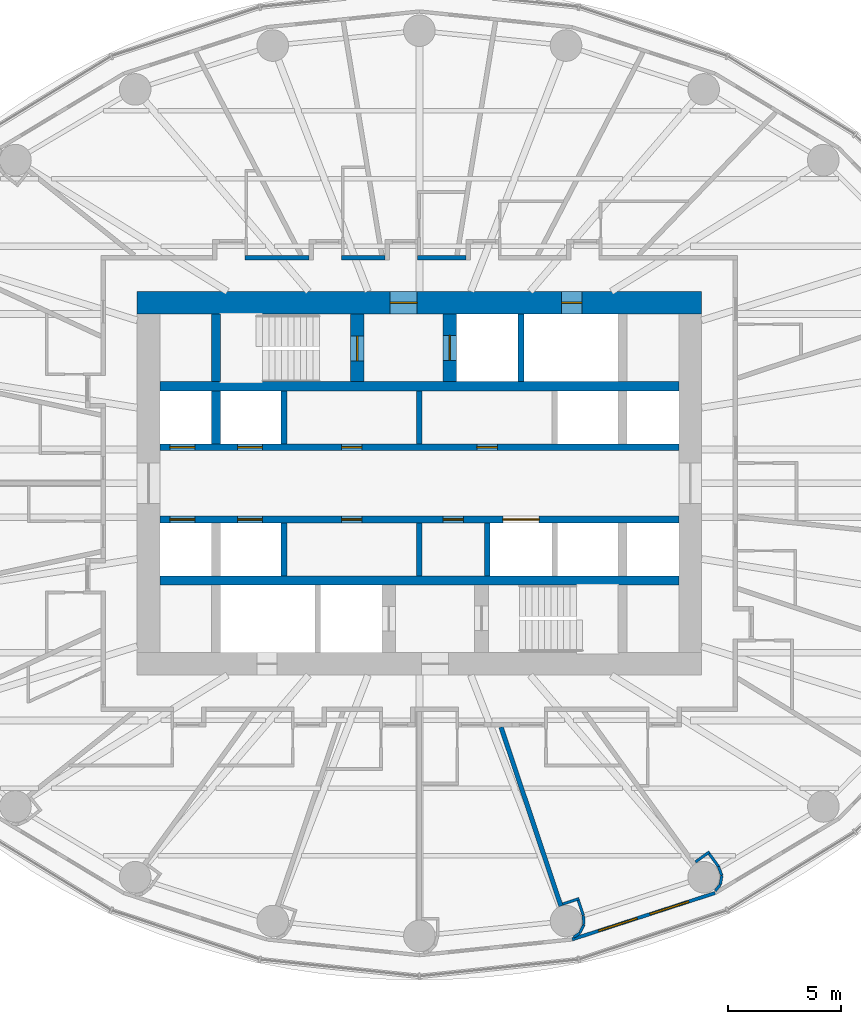
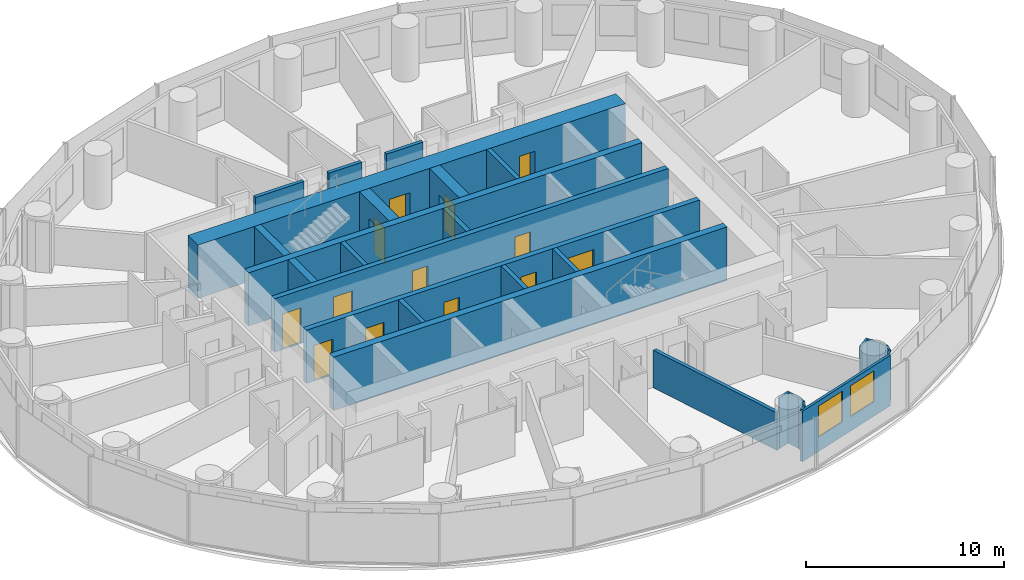
# One storey, part 9 of 14: 30 walls, 13 doors, 2 windows, 15 openings.
"""IFC4 building model written with IfcOpenShell, lengths in metres."""

from ifc_helpers import new_model, si_unit, direction, frame, frame_2d, origin, place, context, subcontext, project, spatial, rectangle, extrude, material, layer, layer_set, type_object, element, fill, save


model = new_model("IFC4")

# Units and contexts
model_context = context("Model", 3, precision=1e-05, world=origin(), true_north=direction((0.0, 1.0)))
body_context = subcontext(model_context, "Body", "Model", "MODEL_VIEW")
ifc_project = project(units=[si_unit("LENGTHUNIT", "METRE"), si_unit("AREAUNIT", "SQUARE_METRE"), si_unit("VOLUMEUNIT", "CUBIC_METRE"), si_unit("PLANEANGLEUNIT", "RADIAN"), si_unit("MASSUNIT", "GRAM", prefix="KILO")], contexts=[model_context])

# Site, building, storey
site_placement = place(None, origin())
site = spatial("IfcSite", under=ifc_project, at=site_placement, CompositionType="ELEMENT")
building_placement = place(site_placement, origin())
building = spatial("IfcBuilding", under=site, at=building_placement, Name="Hankou Lantern Tower", CompositionType="ELEMENT")
storey_placement = place(building_placement, frame((0.0, 0.0, 54.0)))
storey = spatial("IfcBuildingStorey", under=building, at=storey_placement, Name="L12", CompositionType="ELEMENT", Elevation=54.0)

# Wall, openings, doors
ifc_material_1 = material(Name="Concrete C60", Category="concrete")
ifc_layer_1 = layer(ifc_material_1, 1.0)
ifc_layer_set_1 = layer_set([ifc_layer_1], Name="Concrete C60")
wall_type_1 = type_object("IfcWallType", Name="CW1 CORE WALL 1000", PredefinedType="SHEAR", material=ifc_layer_set_1)
wall_1_placement = place(storey_placement, frame((-12.5, 8.0, 0.0), z_axis=(0.0, 0.0, 1.0), x_axis=(1.0, 0.0, 0.0)))
wall_1 = element("IfcWall", 1, at=wall_1_placement, inside=storey, type_object=wall_type_1, Name="Core wall north L12", PredefinedType="SHEAR", context=body_context, shape_type="SweptSolid", body=[
    extrude(rectangle(XDim=25.0, YDim=1.0, at=frame_2d((12.5, 0.0))), origin(), (0.0, 0.0, 1.0), 3.300048828125),
])
opening_1_placement = place(wall_1_placement, frame((11.199951171875, 0.0, 0.0)))
opening_1 = element("IfcOpeningElement", 2, at=opening_1_placement, cuts=wall_1, Name="Opening D5", PredefinedType="OPENING", context=body_context, shape_type="SweptSolid", body=[
    extrude(rectangle(XDim=1.199951171875, YDim=2.199951171875, at=frame_2d((0.60009765625, 1.10009765625))), frame((0.0, 0.510009765625, 0.0), z_axis=(0.0, -1.0, 0.0), x_axis=(1.0, 0.0, 0.0)), (0.0, 0.0, 1.0), 1.02001953125),
])
opening_2_placement = place(wall_1_placement, frame((18.800048828125, 0.0, 0.0)))
opening_2 = element("IfcOpeningElement", 3, at=opening_2_placement, cuts=wall_1, Name="Opening D7", PredefinedType="OPENING", context=body_context, shape_type="SweptSolid", body=[
    extrude(rectangle(XDim=0.89990234375, YDim=2.199951171875, at=frame_2d((0.449951171875, 1.10009765625))), frame((0.0, 0.510009765625, 0.0), z_axis=(0.0, -1.0, 0.0), x_axis=(1.0, 0.0, 0.0)), (0.0, 0.0, 1.0), 1.02001953125),
])
ifc_material_2 = material(Name="Steel door leaf", Category="steel")
door_type_1 = type_object("IfcDoorType", Name="D5 STAIR LOBBY DOOR 1200X2200", OperationType="SINGLE_SWING_LEFT", PredefinedType="DOOR", material=ifc_material_2)
door_1_placement = place(opening_1_placement, origin())
door_1 = element("IfcDoor", 4, at=door_1_placement, inside=storey, type_object=door_type_1, Name="Stair A lobby door", OperationType="SINGLE_SWING_LEFT", OverallHeight=2.199951171875, OverallWidth=1.199951171875, PredefinedType="DOOR", context=body_context, shape_type="SweptSolid", body=[
    extrude(rectangle(XDim=1.199951171875, YDim=2.199951171875, at=frame_2d((0.60009765625, 1.10009765625))), frame((0.0, 0.02490234375, 0.0), z_axis=(0.0, -1.0, 0.0), x_axis=(1.0, 0.0, 0.0)), (0.0, 0.0, 1.0), 0.050048828125),
])
fill(opening_1, door_1)
ifc_material_3 = material(Name="Steel door leaf", Category="steel")
door_type_2 = type_object("IfcDoorType", Name="D7 RISER DOOR 900X2200", OperationType="SINGLE_SWING_LEFT", PredefinedType="DOOR", material=ifc_material_3)
door_2_placement = place(opening_2_placement, origin())
door_2 = element("IfcDoor", 5, at=door_2_placement, inside=storey, type_object=door_type_2, Name="Riser N1 door", OperationType="SINGLE_SWING_RIGHT", OverallHeight=2.199951171875, OverallWidth=0.89990234375, PredefinedType="DOOR", context=body_context, shape_type="SweptSolid", body=[
    extrude(rectangle(XDim=0.89990234375, YDim=2.199951171875, at=frame_2d((0.449951171875, 1.10009765625))), frame((0.0, 0.02490234375, 0.0), z_axis=(0.0, -1.0, 0.0), x_axis=(1.0, 0.0, 0.0)), (0.0, 0.0, 1.0), 0.050048828125),
])
fill(opening_2, door_2)

# Walls
ifc_material_4 = material(Name="Concrete C60", Category="concrete")
ifc_layer_2 = layer(ifc_material_4, 0.39990234375)
ifc_layer_set_2 = layer_set([ifc_layer_2], Name="Concrete C60")
wall_type_2 = type_object("IfcWallType", Name="CW4 CORE CROSS WALL 400", PredefinedType="SHEAR", material=ifc_layer_set_2)
for number, where, z_axis, x_axis, name in (
    (6, (-11.5, 4.300048828125, 0.0), (0.0, 0.0, 1.0), (1.0, 0.0, 0.0), "Core band wall north L12"),
    (7, (-11.5, -4.300048828125, 0.0), (0.0, 0.0, 1.0), (1.0, 0.0, 0.0), "Core band wall south L12"),
):
    element("IfcWall", number, at=place(storey_placement, frame(where, z_axis=z_axis, x_axis=x_axis)), inside=storey, type_object=wall_type_2, Name=name, PredefinedType="SHEAR", context=body_context, shape_type="SweptSolid", body=[
        extrude(rectangle(XDim=23.0, YDim=0.39990234375, at=frame_2d((11.5, 0.0))), origin(), (0.0, 0.0, 1.0), 3.300048828125),
    ])
wall_2_placement = place(storey_placement, frame((-9.0, 4.5, 0.0), z_axis=(0.0, 0.0, 1.0), x_axis=(0.0, 1.0, 0.0)))
element("IfcWall", 8, at=wall_2_placement, inside=storey, type_object=wall_type_2, Name="Core strip wall L12", PredefinedType="SHEAR", context=body_context, shape_type="SweptSolid", body=[
    extrude(rectangle(XDim=3.0, YDim=0.39990234375, at=frame_2d((1.5, 0.0))), origin(), (0.0, 0.0, 1.0), 3.300048828125),
])
wall_3_placement = place(storey_placement, frame((-9.0, 1.75, 0.0), z_axis=(0.0, 0.0, 1.0), x_axis=(0.0, 1.0, 0.0)))
element("IfcWall", 9, at=wall_3_placement, inside=storey, type_object=wall_type_2, Name="Core strip wall L12", PredefinedType="SHEAR", context=body_context, shape_type="SweptSolid", body=[
    extrude(rectangle(XDim=2.35009765625, YDim=0.39990234375, at=frame_2d((1.175048828125, 0.0))), origin(), (0.0, 0.0, 1.0), 3.300048828125),
])

# Wall, openings, doors
ifc_material_5 = material(Name="Concrete C60", Category="concrete")
ifc_layer_3 = layer(ifc_material_5, 0.300048828125)
ifc_layer_set_3 = layer_set([ifc_layer_3], Name="Concrete C60")
wall_type_3 = type_object("IfcWallType", Name="CW5 LIFT LOBBY WALL 300", PredefinedType="SHEAR", material=ifc_layer_set_3)
wall_4_placement = place(storey_placement, frame((-11.5, 1.60009765625, 0.0), z_axis=(0.0, 0.0, 1.0), x_axis=(1.0, 0.0, 0.0)))
wall_4 = element("IfcWall", 10, at=wall_4_placement, inside=storey, type_object=wall_type_3, Name="Lift lobby wall north L12", PredefinedType="SHEAR", context=body_context, shape_type="SweptSolid", body=[
    extrude(rectangle(XDim=23.0, YDim=0.300048828125, at=frame_2d((11.5, 0.0))), origin(), (0.0, 0.0, 1.0), 3.300048828125),
])
opening_3_placement = place(wall_4_placement, frame((0.449951171875, 0.0, 0.0)))
opening_3 = element("IfcOpeningElement", 11, at=opening_3_placement, cuts=wall_4, Name="Opening LD1", PredefinedType="OPENING", context=body_context, shape_type="SweptSolid", body=[
    extrude(rectangle(XDim=1.10009765625, YDim=2.199951171875, at=frame_2d((0.550048828125, 1.10009765625))), frame((0.0, 0.159912109375, 0.0), z_axis=(0.0, -1.0, 0.0), x_axis=(1.0, 0.0, 0.0)), (0.0, 0.0, 1.0), 0.320068359375),
])
opening_4_placement = place(wall_4_placement, frame((3.449951171875, 0.0, 0.0)))
opening_4 = element("IfcOpeningElement", 12, at=opening_4_placement, cuts=wall_4, Name="Opening LD1", PredefinedType="OPENING", context=body_context, shape_type="SweptSolid", body=[
    extrude(rectangle(XDim=1.10009765625, YDim=2.199951171875, at=frame_2d((0.550048828125, 1.10009765625))), frame((0.0, 0.159912109375, 0.0), z_axis=(0.0, -1.0, 0.0), x_axis=(1.0, 0.0, 0.0)), (0.0, 0.0, 1.0), 0.320068359375),
])
opening_5_placement = place(wall_4_placement, frame((8.050048828125, 0.0, 0.0)))
opening_5 = element("IfcOpeningElement", 13, at=opening_5_placement, cuts=wall_4, Name="Opening D30", PredefinedType="OPENING", context=body_context, shape_type="SweptSolid", body=[
    extrude(rectangle(XDim=0.89990234375, YDim=2.199951171875, at=frame_2d((0.449951171875, 1.10009765625))), frame((0.0, 0.159912109375, 0.0), z_axis=(0.0, -1.0, 0.0), x_axis=(1.0, 0.0, 0.0)), (0.0, 0.0, 1.0), 0.320068359375),
])
opening_6_placement = place(wall_4_placement, frame((14.050048828125, 0.0, 0.0)))
opening_6 = element("IfcOpeningElement", 14, at=opening_6_placement, cuts=wall_4, Name="Opening D30", PredefinedType="OPENING", context=body_context, shape_type="SweptSolid", body=[
    extrude(rectangle(XDim=0.89990234375, YDim=2.199951171875, at=frame_2d((0.449951171875, 1.10009765625))), frame((0.0, 0.159912109375, 0.0), z_axis=(0.0, -1.0, 0.0), x_axis=(1.0, 0.0, 0.0)), (0.0, 0.0, 1.0), 0.320068359375),
])
ifc_material_6 = material(Name="Steel door leaf", Category="steel")
door_type_3 = type_object("IfcDoorType", Name="D30 CORE ROOM DOOR 900X2200", OperationType="SINGLE_SWING_LEFT", PredefinedType="DOOR", material=ifc_material_6)
door_3_placement = place(opening_5_placement, origin())
door_3 = element("IfcDoor", 15, at=door_3_placement, inside=storey, type_object=door_type_3, Name="Cleaner's store door", OperationType="SINGLE_SWING_LEFT", OverallHeight=2.199951171875, OverallWidth=0.89990234375, PredefinedType="DOOR", context=body_context, shape_type="SweptSolid", body=[
    extrude(rectangle(XDim=0.89990234375, YDim=2.199951171875, at=frame_2d((0.449951171875, 1.10009765625))), frame((0.0, 0.02490234375, 0.0), z_axis=(0.0, -1.0, 0.0), x_axis=(1.0, 0.0, 0.0)), (0.0, 0.0, 1.0), 0.050048828125),
])
fill(opening_5, door_3)
door_4_placement = place(opening_6_placement, origin())
door_4 = element("IfcDoor", 16, at=door_4_placement, inside=storey, type_object=door_type_3, Name="Minibar store door", OperationType="SINGLE_SWING_RIGHT", OverallHeight=2.199951171875, OverallWidth=0.89990234375, PredefinedType="DOOR", context=body_context, shape_type="SweptSolid", body=[
    extrude(rectangle(XDim=0.89990234375, YDim=2.199951171875, at=frame_2d((0.449951171875, 1.10009765625))), frame((0.0, 0.02490234375, 0.0), z_axis=(0.0, -1.0, 0.0), x_axis=(1.0, 0.0, 0.0)), (0.0, 0.0, 1.0), 0.050048828125),
])
fill(opening_6, door_4)
ifc_material_7 = material(Name="Steel door leaf", Category="steel")
door_type_4 = type_object("IfcDoorType", Name="LD1 LIFT LANDING DOOR 1100X2200", OperationType="DOUBLE_DOOR_SLIDING", PredefinedType="DOOR", material=ifc_material_7)
door_5_placement = place(opening_3_placement, origin())
door_5 = element("IfcDoor", 17, at=door_5_placement, inside=storey, type_object=door_type_4, Name="Lift L1 landing door", OperationType="DOUBLE_DOOR_SLIDING", OverallHeight=2.199951171875, OverallWidth=1.10009765625, PredefinedType="DOOR", context=body_context, shape_type="SweptSolid", body=[
    extrude(rectangle(XDim=1.10009765625, YDim=2.199951171875, at=frame_2d((0.550048828125, 1.10009765625))), frame((0.0, 0.02490234375, 0.0), z_axis=(0.0, -1.0, 0.0), x_axis=(1.0, 0.0, 0.0)), (0.0, 0.0, 1.0), 0.050048828125),
])
fill(opening_3, door_5)
door_6_placement = place(opening_4_placement, origin())
door_6 = element("IfcDoor", 18, at=door_6_placement, inside=storey, type_object=door_type_4, Name="Lift L2 landing door", OperationType="DOUBLE_DOOR_SLIDING", OverallHeight=2.199951171875, OverallWidth=1.10009765625, PredefinedType="DOOR", context=body_context, shape_type="SweptSolid", body=[
    extrude(rectangle(XDim=1.10009765625, YDim=2.199951171875, at=frame_2d((0.550048828125, 1.10009765625))), frame((0.0, 0.02490234375, 0.0), z_axis=(0.0, -1.0, 0.0), x_axis=(1.0, 0.0, 0.0)), (0.0, 0.0, 1.0), 0.050048828125),
])
fill(opening_4, door_6)

wall_5_placement = place(storey_placement, frame((-11.5, -1.60009765625, 0.0), z_axis=(0.0, 0.0, 1.0), x_axis=(1.0, 0.0, 0.0)))
wall_5 = element("IfcWall", 19, at=wall_5_placement, inside=storey, type_object=wall_type_3, Name="Lift lobby wall south L12", PredefinedType="SHEAR", context=body_context, shape_type="SweptSolid", body=[
    extrude(rectangle(XDim=23.0, YDim=0.300048828125, at=frame_2d((11.5, 0.0))), origin(), (0.0, 0.0, 1.0), 3.300048828125),
])
opening_7_placement = place(wall_5_placement, frame((0.449951171875, 0.0, 0.0)))
opening_7 = element("IfcOpeningElement", 20, at=opening_7_placement, cuts=wall_5, Name="Opening LD1", PredefinedType="OPENING", context=body_context, shape_type="SweptSolid", body=[
    extrude(rectangle(XDim=1.10009765625, YDim=2.199951171875, at=frame_2d((0.550048828125, 1.10009765625))), frame((0.0, 0.159912109375, 0.0), z_axis=(0.0, -1.0, 0.0), x_axis=(1.0, 0.0, 0.0)), (0.0, 0.0, 1.0), 0.320068359375),
])
opening_8_placement = place(wall_5_placement, frame((3.449951171875, 0.0, 0.0)))
opening_8 = element("IfcOpeningElement", 21, at=opening_8_placement, cuts=wall_5, Name="Opening LD1", PredefinedType="OPENING", context=body_context, shape_type="SweptSolid", body=[
    extrude(rectangle(XDim=1.10009765625, YDim=2.199951171875, at=frame_2d((0.550048828125, 1.10009765625))), frame((0.0, 0.159912109375, 0.0), z_axis=(0.0, -1.0, 0.0), x_axis=(1.0, 0.0, 0.0)), (0.0, 0.0, 1.0), 0.320068359375),
])
opening_9_placement = place(wall_5_placement, frame((15.199951171875, 0.0, 0.0)))
opening_9 = element("IfcOpeningElement", 22, at=opening_9_placement, cuts=wall_5, Name="Opening LD4", PredefinedType="OPENING", context=body_context, shape_type="SweptSolid", body=[
    extrude(rectangle(XDim=1.60009765625, YDim=2.39990234375, at=frame_2d((0.800048828125, 1.199951171875))), frame((0.0, 0.159912109375, 0.0), z_axis=(0.0, -1.0, 0.0), x_axis=(1.0, 0.0, 0.0)), (0.0, 0.0, 1.0), 0.320068359375),
])
opening_10_placement = place(wall_5_placement, frame((8.050048828125, 0.0, 0.0)))
opening_10 = element("IfcOpeningElement", 23, at=opening_10_placement, cuts=wall_5, Name="Opening D30", PredefinedType="OPENING", context=body_context, shape_type="SweptSolid", body=[
    extrude(rectangle(XDim=0.89990234375, YDim=2.199951171875, at=frame_2d((0.449951171875, 1.10009765625))), frame((0.0, 0.159912109375, 0.0), z_axis=(0.0, -1.0, 0.0), x_axis=(1.0, 0.0, 0.0)), (0.0, 0.0, 1.0), 0.320068359375),
])
opening_11_placement = place(wall_5_placement, frame((12.550048828125, 0.0, 0.0)))
opening_11 = element("IfcOpeningElement", 24, at=opening_11_placement, cuts=wall_5, Name="Opening D30", PredefinedType="OPENING", context=body_context, shape_type="SweptSolid", body=[
    extrude(rectangle(XDim=0.89990234375, YDim=2.199951171875, at=frame_2d((0.449951171875, 1.10009765625))), frame((0.0, 0.159912109375, 0.0), z_axis=(0.0, -1.0, 0.0), x_axis=(1.0, 0.0, 0.0)), (0.0, 0.0, 1.0), 0.320068359375),
])
door_7_placement = place(opening_10_placement, origin())
door_7 = element("IfcDoor", 25, at=door_7_placement, inside=storey, type_object=door_type_3, Name="Housekeeping and linen store door", OperationType="SINGLE_SWING_LEFT", OverallHeight=2.199951171875, OverallWidth=0.89990234375, PredefinedType="DOOR", context=body_context, shape_type="SweptSolid", body=[
    extrude(rectangle(XDim=0.89990234375, YDim=2.199951171875, at=frame_2d((0.449951171875, 1.10009765625))), frame((0.0, 0.02490234375, 0.0), z_axis=(0.0, -1.0, 0.0), x_axis=(1.0, 0.0, 0.0)), (0.0, 0.0, 1.0), 0.050048828125),
])
fill(opening_10, door_7)
door_8_placement = place(opening_11_placement, origin())
door_8 = element("IfcDoor", 26, at=door_8_placement, inside=storey, type_object=door_type_3, Name="Waste and recycling room door", OperationType="SINGLE_SWING_RIGHT", OverallHeight=2.199951171875, OverallWidth=0.89990234375, PredefinedType="DOOR", context=body_context, shape_type="SweptSolid", body=[
    extrude(rectangle(XDim=0.89990234375, YDim=2.199951171875, at=frame_2d((0.449951171875, 1.10009765625))), frame((0.0, 0.02490234375, 0.0), z_axis=(0.0, -1.0, 0.0), x_axis=(1.0, 0.0, 0.0)), (0.0, 0.0, 1.0), 0.050048828125),
])
fill(opening_11, door_8)
door_9_placement = place(opening_7_placement, origin())
door_9 = element("IfcDoor", 27, at=door_9_placement, inside=storey, type_object=door_type_4, Name="Lift L3 landing door", OperationType="DOUBLE_DOOR_SLIDING", OverallHeight=2.199951171875, OverallWidth=1.10009765625, PredefinedType="DOOR", context=body_context, shape_type="SweptSolid", body=[
    extrude(rectangle(XDim=1.10009765625, YDim=2.199951171875, at=frame_2d((0.550048828125, 1.10009765625))), frame((0.0, 0.02490234375, 0.0), z_axis=(0.0, -1.0, 0.0), x_axis=(1.0, 0.0, 0.0)), (0.0, 0.0, 1.0), 0.050048828125),
])
fill(opening_7, door_9)
door_10_placement = place(opening_8_placement, origin())
door_10 = element("IfcDoor", 28, at=door_10_placement, inside=storey, type_object=door_type_4, Name="Lift L4 landing door", OperationType="DOUBLE_DOOR_SLIDING", OverallHeight=2.199951171875, OverallWidth=1.10009765625, PredefinedType="DOOR", context=body_context, shape_type="SweptSolid", body=[
    extrude(rectangle(XDim=1.10009765625, YDim=2.199951171875, at=frame_2d((0.550048828125, 1.10009765625))), frame((0.0, 0.02490234375, 0.0), z_axis=(0.0, -1.0, 0.0), x_axis=(1.0, 0.0, 0.0)), (0.0, 0.0, 1.0), 0.050048828125),
])
fill(opening_8, door_10)
ifc_material_8 = material(Name="Steel door leaf", Category="steel")
door_type_5 = type_object("IfcDoorType", Name="LD4 SERVICE LIFT LANDING DOOR 1600X2400", OperationType="DOUBLE_DOOR_SLIDING", PredefinedType="DOOR", material=ifc_material_8)
door_11_placement = place(opening_9_placement, origin())
door_11 = element("IfcDoor", 29, at=door_11_placement, inside=storey, type_object=door_type_5, Name="Lift SV1 landing door", OperationType="DOUBLE_DOOR_SLIDING", OverallHeight=2.39990234375, OverallWidth=1.60009765625, PredefinedType="DOOR", context=body_context, shape_type="SweptSolid", body=[
    extrude(rectangle(XDim=1.60009765625, YDim=2.39990234375, at=frame_2d((0.800048828125, 1.199951171875))), frame((0.0, 0.02490234375, 0.0), z_axis=(0.0, -1.0, 0.0), x_axis=(1.0, 0.0, 0.0)), (0.0, 0.0, 1.0), 0.050048828125),
])
fill(opening_9, door_11)

# Wall, opening, door
ifc_material_9 = material(Name="Concrete C60", Category="concrete")
ifc_layer_4 = layer(ifc_material_9, 0.60009765625)
ifc_layer_set_4 = layer_set([ifc_layer_4], Name="Concrete C60")
wall_type_4 = type_object("IfcWallType", Name="CW6 STAIR AND SHAFT WALL 600", PredefinedType="SHEAR", material=ifc_layer_set_4)
wall_6_placement = place(storey_placement, frame((-2.75, 4.5, 0.0), z_axis=(0.0, 0.0, 1.0), x_axis=(0.0, 1.0, 0.0)))
wall_6 = element("IfcWall", 30, at=wall_6_placement, inside=storey, type_object=wall_type_4, Name="Stair wall L12", PredefinedType="SHEAR", context=body_context, shape_type="SweptSolid", body=[
    extrude(rectangle(XDim=3.0, YDim=0.60009765625, at=frame_2d((1.5, 0.0))), origin(), (0.0, 0.0, 1.0), 3.300048828125),
])
opening_12_placement = place(wall_6_placement, frame((0.925048828125, 0.0, 0.0)))
opening_12 = element("IfcOpeningElement", 31, at=opening_12_placement, cuts=wall_6, Name="Opening D4", PredefinedType="OPENING", context=body_context, shape_type="SweptSolid", body=[
    extrude(rectangle(XDim=1.10009765625, YDim=2.199951171875, at=frame_2d((0.550048828125, 1.10009765625))), frame((0.0, 0.31005859375, 0.0), z_axis=(0.0, -1.0, 0.0), x_axis=(1.0, 0.0, 0.0)), (0.0, 0.0, 1.0), 0.6201171875),
])
ifc_material_10 = material(Name="Steel door leaf", Category="steel")
door_type_6 = type_object("IfcDoorType", Name="D4 STAIR DOOR 1100X2200", OperationType="SINGLE_SWING_LEFT", PredefinedType="DOOR", material=ifc_material_10)
door_12_placement = place(opening_12_placement, origin())
door_12 = element("IfcDoor", 32, at=door_12_placement, inside=storey, type_object=door_type_6, Name="Stair A door", OperationType="SINGLE_SWING_LEFT", OverallHeight=2.199951171875, OverallWidth=1.10009765625, PredefinedType="DOOR", context=body_context, shape_type="SweptSolid", body=[
    extrude(rectangle(XDim=1.10009765625, YDim=2.199951171875, at=frame_2d((0.550048828125, 1.10009765625))), frame((0.0, 0.02490234375, 0.0), z_axis=(0.0, -1.0, 0.0), x_axis=(1.0, 0.0, 0.0)), (0.0, 0.0, 1.0), 0.050048828125),
])
fill(opening_12, door_12)

wall_7_placement = place(storey_placement, frame((1.35009765625, 4.5, 0.0), z_axis=(0.0, 0.0, 1.0), x_axis=(0.0, 1.0, 0.0)))
wall_7 = element("IfcWall", 33, at=wall_7_placement, inside=storey, type_object=wall_type_4, Name="Firefighting lift shaft wall L12", PredefinedType="SHEAR", context=body_context, shape_type="SweptSolid", body=[
    extrude(rectangle(XDim=3.0, YDim=0.60009765625, at=frame_2d((1.5, 0.0))), origin(), (0.0, 0.0, 1.0), 3.300048828125),
])
opening_13_placement = place(wall_7_placement, frame((0.949951171875, 0.0, 0.0)))
opening_13 = element("IfcOpeningElement", 34, at=opening_13_placement, cuts=wall_7, Name="Opening LD2", PredefinedType="OPENING", context=body_context, shape_type="SweptSolid", body=[
    extrude(rectangle(XDim=1.10009765625, YDim=2.199951171875, at=frame_2d((0.550048828125, 1.10009765625))), frame((0.0, 0.31005859375, 0.0), z_axis=(0.0, -1.0, 0.0), x_axis=(1.0, 0.0, 0.0)), (0.0, 0.0, 1.0), 0.6201171875),
])
ifc_material_11 = material(Name="Steel door leaf", Category="steel")
door_type_7 = type_object("IfcDoorType", Name="LD2 FIREFIGHTING LIFT LANDING DOOR 1100X2200", OperationType="DOUBLE_DOOR_SLIDING", PredefinedType="DOOR", material=ifc_material_11)
door_13_placement = place(opening_13_placement, origin())
door_13 = element("IfcDoor", 35, at=door_13_placement, inside=storey, type_object=door_type_7, Name="Firefighting lift FL1 landing door", OperationType="DOUBLE_DOOR_SLIDING", OverallHeight=2.199951171875, OverallWidth=1.10009765625, PredefinedType="DOOR", context=body_context, shape_type="SweptSolid", body=[
    extrude(rectangle(XDim=1.10009765625, YDim=2.199951171875, at=frame_2d((0.550048828125, 1.10009765625))), frame((0.0, 0.02490234375, 0.0), z_axis=(0.0, -1.0, 0.0), x_axis=(1.0, 0.0, 0.0)), (0.0, 0.0, 1.0), 0.050048828125),
])
fill(opening_13, door_13)

# Wall, openings, windows
ifc_material_12 = material(Name="Aluminium spandrel panel on steel studs", Category="steel")
ifc_layer_5 = layer(ifc_material_12, 0.14990234375)
ifc_layer_set_5 = layer_set([ifc_layer_5], Name="Aluminium spandrel panel on steel studs")
wall_type_5 = type_object("IfcWallType", Name="EW1 INNER SKIN WALL 150", PredefinedType="ELEMENTEDWALL", material=ifc_layer_set_5)
wall_8_placement = place(storey_placement, frame((6.766357421875, -20.201904296875, 0.0), z_axis=(0.0, 0.0, 1.0), x_axis=(0.951137534625, 0.308767534285, 0.0)))
wall_8 = element("IfcWall", 36, at=wall_8_placement, inside=storey, type_object=wall_type_5, Name="Inner skin R20-R21 L12", PredefinedType="ELEMENTEDWALL", context=body_context, shape_type="SweptSolid", body=[
    extrude(rectangle(XDim=6.6552734375, YDim=0.14990234375, at=frame_2d((3.32763671875, 0.0))), origin(), (0.0, 0.0, 1.0), 3.1201171875),
])
opening_14_placement = place(wall_8_placement, frame((1.2275390625, 0.0, 0.89990234375)))
opening_14 = element("IfcOpeningElement", 37, at=opening_14_placement, cuts=wall_8, Name="Opening W1", PredefinedType="OPENING", context=body_context, shape_type="SweptSolid", body=[
    extrude(rectangle(XDim=1.800048828125, YDim=1.89990234375, at=frame_2d((0.89990234375, 0.949951171875))), frame((0.0, 0.0849609375, 0.0), z_axis=(0.0, -1.0, 0.0), x_axis=(1.0, 0.0, 0.0)), (0.0, 0.0, 1.0), 0.169921875),
])
opening_15_placement = place(wall_8_placement, frame((3.627685546875, 0.0, 0.89990234375)))
opening_15 = element("IfcOpeningElement", 38, at=opening_15_placement, cuts=wall_8, Name="Opening W1", PredefinedType="OPENING", context=body_context, shape_type="SweptSolid", body=[
    extrude(rectangle(XDim=1.800048828125, YDim=1.89990234375, at=frame_2d((0.89990234375, 0.949951171875))), frame((0.0, 0.0849609375, 0.0), z_axis=(0.0, -1.0, 0.0), x_axis=(1.0, 0.0, 0.0)), (0.0, 0.0, 1.0), 0.169921875),
])
ifc_material_13 = material(Name="Aluminium framed double glazed window", Category="aluminium")
window_type = type_object("IfcWindowType", Name="W1 GUEST ROOM WINDOW 1800X1900", PartitioningType="DOUBLE_PANEL_VERTICAL", PredefinedType="WINDOW", material=ifc_material_13)
window_1_placement = place(opening_14_placement, origin())
window_1 = element("IfcWindow", 39, at=window_1_placement, inside=storey, type_object=window_type, Name="Window R20.1 L12", OverallHeight=1.89990234375, OverallWidth=1.800048828125, PartitioningType="SINGLE_PANEL", PredefinedType="WINDOW", context=body_context, shape_type="SweptSolid", body=[
    extrude(rectangle(XDim=1.800048828125, YDim=1.89990234375, at=frame_2d((0.89990234375, 0.949951171875))), frame((0.0, 0.030029296875, 0.0), z_axis=(0.0, -1.0, 0.0), x_axis=(1.0, 0.0, 0.0)), (0.0, 0.0, 1.0), 0.06005859375),
])
fill(opening_14, window_1)
window_2_placement = place(opening_15_placement, origin())
window_2 = element("IfcWindow", 40, at=window_2_placement, inside=storey, type_object=window_type, Name="Window R20.2 L12", OverallHeight=1.89990234375, OverallWidth=1.800048828125, PartitioningType="SINGLE_PANEL", PredefinedType="WINDOW", context=body_context, shape_type="SweptSolid", body=[
    extrude(rectangle(XDim=1.800048828125, YDim=1.89990234375, at=frame_2d((0.89990234375, 0.949951171875))), frame((0.0, 0.030029296875, 0.0), z_axis=(0.0, -1.0, 0.0), x_axis=(1.0, 0.0, 0.0)), (0.0, 0.0, 1.0), 0.06005859375),
])
fill(opening_15, window_2)

# Walls
ifc_material_14 = material(Name="Masonry lightweight concrete block", Category="masonry")
ifc_layer_6 = layer(ifc_material_14, 0.199951171875)
ifc_layer_set_6 = layer_set([ifc_layer_6], Name="Masonry lightweight concrete block")
wall_type_6 = type_object("IfcWallType", Name="IW1 GUEST ROOM PARTY WALL 200", PredefinedType="PARTITIONING", material=ifc_layer_set_6)
wall_9_placement = place(storey_placement, frame((3.617431640625, -10.800048828125, 0.0), z_axis=(0.0, 0.0, 1.0), x_axis=(0.317576599239, -0.948232621046, 0.0)))
element("IfcWall", 41, at=wall_9_placement, inside=storey, type_object=wall_type_6, Name="Party wall R20", PredefinedType="PARTITIONING", context=body_context, shape_type="SweptSolid", body=[
    extrude(rectangle(XDim=8.3603515625, YDim=0.199951171875, at=frame_2d((4.18017578125, 0.0))), origin(), (0.0, 0.0, 1.0), 2.320068359375),
])
ifc_material_15 = material(Name="Masonry lightweight concrete block", Category="masonry")
ifc_layer_7 = layer(ifc_material_15, 0.199951171875)
ifc_layer_set_7 = layer_set([ifc_layer_7], Name="Masonry lightweight concrete block")
wall_type_7 = type_object("IfcWallType", Name="IW2 CORRIDOR WALL 200", PredefinedType="PARTITIONING", material=ifc_layer_set_7)
wall_10_placement = place(storey_placement, frame((-7.728515625, 10.0, 0.0), z_axis=(0.0, 0.0, 1.0), x_axis=(1.0, 0.0, 0.0)))
element("IfcWall", 42, at=wall_10_placement, inside=storey, type_object=wall_type_7, Name="Corridor wall north", PredefinedType="PARTITIONING", context=body_context, shape_type="SweptSolid", body=[
    extrude(rectangle(XDim=2.83349609375, YDim=0.199951171875, at=frame_2d((1.416748046875, 0.0))), origin(), (0.0, 0.0, 1.0), 3.1201171875),
])
wall_11_placement = place(storey_placement, frame((-3.455078125, 10.0, 0.0), z_axis=(0.0, 0.0, 1.0), x_axis=(1.0, 0.0, 0.0)))
element("IfcWall", 43, at=wall_11_placement, inside=storey, type_object=wall_type_7, Name="Corridor wall north", PredefinedType="PARTITIONING", context=body_context, shape_type="SweptSolid", body=[
    extrude(rectangle(XDim=1.93994140625, YDim=0.199951171875, at=frame_2d((0.969970703125, 0.0))), origin(), (0.0, 0.0, 1.0), 3.1201171875),
])
wall_12_placement = place(storey_placement, frame((-0.074951171875, 10.0, 0.0), z_axis=(0.0, 0.0, 1.0), x_axis=(1.0, 0.0, 0.0)))
element("IfcWall", 44, at=wall_12_placement, inside=storey, type_object=wall_type_7, Name="Corridor wall north", PredefinedType="PARTITIONING", context=body_context, shape_type="SweptSolid", body=[
    extrude(rectangle(XDim=2.133544921875, YDim=0.199951171875, at=frame_2d((1.06689453125, 0.0))), origin(), (0.0, 0.0, 1.0), 3.1201171875),
])
ifc_material_16 = material(Name="Masonry lightweight concrete block", Category="masonry")
ifc_layer_8 = layer(ifc_material_16, 0.1201171875)
ifc_layer_set_8 = layer_set([ifc_layer_8], Name="Masonry lightweight concrete block")
wall_type_8 = type_object("IfcWallType", Name="IW4 PARTITION 120", PredefinedType="PARTITIONING", material=ifc_layer_set_8)
wall_13_placement = place(storey_placement, frame((6.348388671875, -18.638916015625, 0.0), z_axis=(0.0, 0.0, 1.0), x_axis=(0.948268951266, 0.317468102437, 0.0)))
element("IfcWall", 45, at=wall_13_placement, inside=storey, type_object=wall_type_8, Name="Column casing R20 return", PredefinedType="PARTITIONING", context=body_context, shape_type="SweptSolid", body=[
    extrude(rectangle(XDim=0.767578125, YDim=0.1201171875, at=frame_2d((0.3837890625, 0.0))), origin(), (0.0, 0.0, 1.0), 3.1201171875),
])
wall_14_placement = place(storey_placement, frame((7.038330078125, -18.47119140625, 0.0), z_axis=(0.0, 0.0, 1.0), x_axis=(0.317378466199, -0.9482989556, 0.0)))
element("IfcWall", 46, at=wall_14_placement, inside=storey, type_object=wall_type_8, Name="Column casing R20", PredefinedType="PARTITIONING", context=body_context, shape_type="SweptSolid", body=[
    extrude(rectangle(XDim=0.699951171875, YDim=0.1201171875, at=frame_2d((0.35009765625, 0.0))), origin(), (0.0, 0.0, 1.0), 3.1201171875),
])
wall_15_placement = place(storey_placement, frame((7.260498046875, -19.135009765625, 0.0), z_axis=(0.0, 0.0, 1.0), x_axis=(0.0613238046, -0.99811792439, 0.0)))
element("IfcWall", 47, at=wall_15_placement, inside=storey, type_object=wall_type_8, Name="Column casing R20", PredefinedType="PARTITIONING", context=body_context, shape_type="SweptSolid", body=[
    extrude(rectangle(XDim=0.41796875, YDim=0.1201171875, at=frame_2d((0.208984375, 0.0))), origin(), (0.0, 0.0, 1.0), 3.1201171875),
])
wall_16_placement = place(storey_placement, frame((7.2861328125, -19.55224609375, 0.0), z_axis=(0.0, 0.0, 1.0), x_axis=(-0.445810757773, -0.89512723579, 0.0)))
element("IfcWall", 48, at=wall_16_placement, inside=storey, type_object=wall_type_8, Name="Column casing R20", PredefinedType="PARTITIONING", context=body_context, shape_type="SweptSolid", body=[
    extrude(rectangle(XDim=0.417724609375, YDim=0.1201171875, at=frame_2d((0.208984375, 0.0))), origin(), (0.0, 0.0, 1.0), 3.1201171875),
])
wall_17_placement = place(storey_placement, frame((7.099853515625, -19.92626953125, 0.0), z_axis=(0.0, 0.0, 1.0), x_axis=(-0.833488262509, -0.552537162787, 0.0)))
element("IfcWall", 49, at=wall_17_placement, inside=storey, type_object=wall_type_8, Name="Column casing R20", PredefinedType="PARTITIONING", context=body_context, shape_type="SweptSolid", body=[
    extrude(rectangle(XDim=0.312744140625, YDim=0.1201171875, at=frame_2d((0.15625, 0.0))), origin(), (0.0, 0.0, 1.0), 3.1201171875),
])
wall_18_placement = place(storey_placement, frame((12.227294921875, -16.771728515625, 0.0), z_axis=(0.0, 0.0, 1.0), x_axis=(0.810821798253, 0.585293098778, 0.0)))
element("IfcWall", 50, at=wall_18_placement, inside=storey, type_object=wall_type_8, Name="Column casing R21 return", PredefinedType="PARTITIONING", context=body_context, shape_type="SweptSolid", body=[
    extrude(rectangle(XDim=0.767578125, YDim=0.1201171875, at=frame_2d((0.3837890625, 0.0))), origin(), (0.0, 0.0, 1.0), 3.1201171875),
])
wall_19_placement = place(storey_placement, frame((12.8359375, -16.40625, 0.0), z_axis=(0.0, 0.0, 1.0), x_axis=(0.585223113993, -0.810872312296, 0.0)))
element("IfcWall", 51, at=wall_19_placement, inside=storey, type_object=wall_type_8, Name="Column casing R21", PredefinedType="PARTITIONING", context=body_context, shape_type="SweptSolid", body=[
    extrude(rectangle(XDim=0.699951171875, YDim=0.1201171875, at=frame_2d((0.35009765625, 0.0))), origin(), (0.0, 0.0, 1.0), 3.1201171875),
])
wall_20_placement = place(storey_placement, frame((13.24560546875, -16.973876953125, 0.0), z_axis=(0.0, 0.0, 1.0), x_axis=(0.355728122235, -0.934589483705, 0.0)))
element("IfcWall", 52, at=wall_20_placement, inside=storey, type_object=wall_type_8, Name="Column casing R21", PredefinedType="PARTITIONING", context=body_context, shape_type="SweptSolid", body=[
    extrude(rectangle(XDim=0.41796875, YDim=0.1201171875, at=frame_2d((0.208984375, 0.0))), origin(), (0.0, 0.0, 1.0), 3.1201171875),
])
wall_21_placement = place(storey_placement, frame((13.394287109375, -17.364501953125, 0.0), z_axis=(0.0, 0.0, 1.0), x_axis=(-0.159379276926, -0.987217425943, 0.0)))
element("IfcWall", 53, at=wall_21_placement, inside=storey, type_object=wall_type_8, Name="Column casing R21", PredefinedType="PARTITIONING", context=body_context, shape_type="SweptSolid", body=[
    extrude(rectangle(XDim=0.418212890625, YDim=0.1201171875, at=frame_2d((0.208984375, 0.0))), origin(), (0.0, 0.0, 1.0), 3.1201171875),
])
wall_22_placement = place(storey_placement, frame((13.32763671875, -17.77734375, 0.0), z_axis=(0.0, 0.0, 1.0), x_axis=(-0.632276783541, -0.774742582407, 0.0)))
element("IfcWall", 54, at=wall_22_placement, inside=storey, type_object=wall_type_8, Name="Column casing R21", PredefinedType="PARTITIONING", context=body_context, shape_type="SweptSolid", body=[
    extrude(rectangle(XDim=0.35986328125, YDim=0.1201171875, at=frame_2d((0.179931640625, 0.0))), origin(), (0.0, 0.0, 1.0), 3.1201171875),
])
ifc_material_17 = material(Name="Masonry autoclaved aerated concrete block", Category="masonry")
ifc_layer_9 = layer(ifc_material_17, 0.25)
ifc_layer_set_9 = layer_set([ifc_layer_9], Name="Masonry autoclaved aerated concrete block")
wall_type_9 = type_object("IfcWallType", Name="SW1 SHAFT BLOCK WALL 250", PredefinedType="PARTITIONING", material=ifc_layer_set_9)
wall_23_placement = place(storey_placement, frame((4.5, 4.5, 0.0), z_axis=(0.0, 0.0, 1.0), x_axis=(0.0, 1.0, 0.0)))
element("IfcWall", 55, at=wall_23_placement, inside=storey, type_object=wall_type_9, Name="Riser wall L12", PredefinedType="PARTITIONING", context=body_context, shape_type="SweptSolid", body=[
    extrude(rectangle(XDim=3.0, YDim=0.25, at=frame_2d((1.5, 0.0))), origin(), (0.0, 0.0, 1.0), 3.300048828125),
])
for number, where, z_axis, x_axis, name in (
    (56, (-6.0, 1.75, 0.0), (0.0, 0.0, 1.0), (0.0, 1.0, 0.0), "Lift shaft wall L12"),
    (57, (0.0, 1.75, 0.0), (0.0, 0.0, 1.0), (0.0, 1.0, 0.0), "Lift shaft wall L12"),
    (58, (-6.0, -4.10009765625, 0.0), (0.0, 0.0, 1.0), (0.0, 1.0, 0.0), "Lift shaft wall L12"),
    (59, (0.0, -4.10009765625, 0.0), (0.0, 0.0, 1.0), (0.0, 1.0, 0.0), "Lift shaft wall L12"),
    (60, (3.0, -4.10009765625, 0.0), (0.0, 0.0, 1.0), (0.0, 1.0, 0.0), "Lift shaft wall L12"),
):
    element("IfcWall", number, at=place(storey_placement, frame(where, z_axis=z_axis, x_axis=x_axis)), inside=storey, type_object=wall_type_9, Name=name, PredefinedType="PARTITIONING", context=body_context, shape_type="SweptSolid", body=[
        extrude(rectangle(XDim=2.35009765625, YDim=0.25, at=frame_2d((1.175048828125, 0.0))), origin(), (0.0, 0.0, 1.0), 3.300048828125),
    ])

save(model, "model.ifc")
